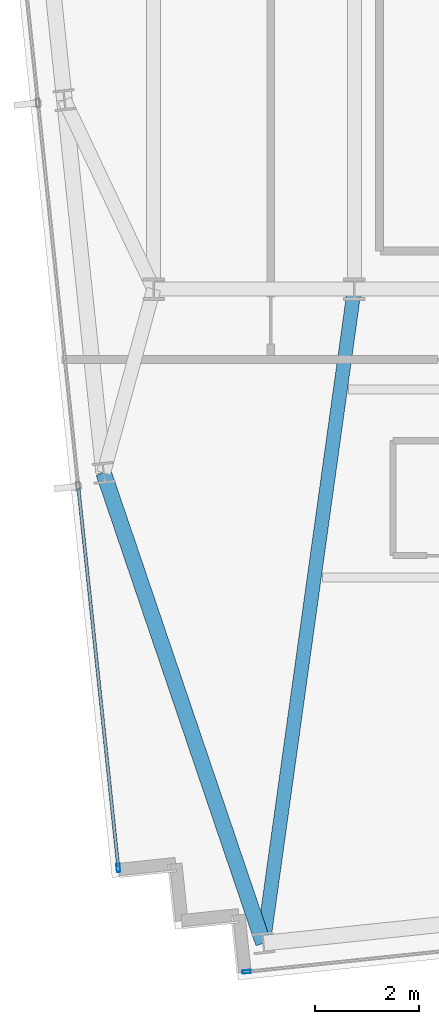
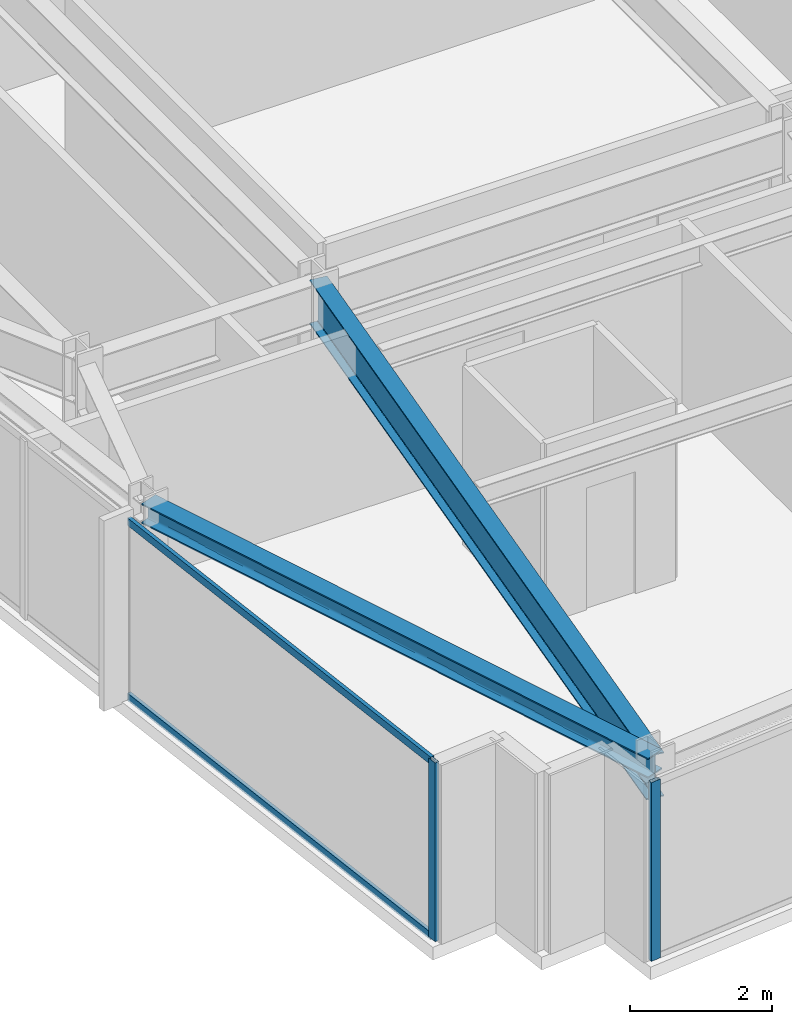
# One storey, part 2 of 33: 4 members, 2 beams, 2 elements without a shape of their own.
"""IFC4 building model written with IfcOpenShell, lengths in metres."""

from ifc_helpers import new_model, si_unit, direction, frame, origin, origin_2d, place, context, subcontext, project, spatial, hollow_rectangle, i_section, extrude, material, material_profile, profile_set, type_object, element, aggregate, save


model = new_model("IFC4")

# Units and contexts
model_context = context("Model", 3, precision=1e-05, world=origin(), true_north=direction((0.0, 1.0)))
body_context = subcontext(model_context, "Body", "Model", "MODEL_VIEW")
ifc_project = project(units=[si_unit("LENGTHUNIT", "METRE"), si_unit("AREAUNIT", "SQUARE_METRE"), si_unit("VOLUMEUNIT", "CUBIC_METRE"), si_unit("PLANEANGLEUNIT", "RADIAN"), si_unit("MASSUNIT", "GRAM", prefix="KILO")], contexts=[model_context])

# Site, building, storey
site_placement = place(None, origin())
site = spatial("IfcSite", under=ifc_project, at=site_placement, CompositionType="ELEMENT")
building_placement = place(site_placement, origin())
building = spatial("IfcBuilding", under=site, at=building_placement, Name="Yelkora Congress Tower", CompositionType="ELEMENT")
storey_placement = place(building_placement, frame((0.0, 0.0, 224.300048828125)))
storey = spatial("IfcBuildingStorey", under=building, at=storey_placement, Name="L62", CompositionType="ELEMENT", Elevation=224.300048828125)

# Beams
ifc_material_1 = material(Name="Steel S355J2", Category="steel")
ifc_material_profile_1 = material_profile(ifc_material_1, i_section(OverallWidth=0.26708984375, OverallDepth=0.761962890625, WebThickness=0.014404296875, FlangeThickness=0.021484375, FilletRadius=0.01708984375, at=origin_2d()), Name="IPE 750x173")
ifc_profile_set_1 = profile_set([ifc_material_profile_1], Name="Steel S355J2")
beam_type_1 = type_object("IfcBeamType", Name="BM-GIRD-IPE750", PredefinedType="BEAM", material=ifc_profile_set_1)
beam_1_placement = place(storey_placement, frame((21.299072265625, 12.678466796875, 2.698974609375), z_axis=(0.137713626184, 0.990472088028, 0.0), x_axis=(-0.990472088028, 0.137713626184, 0.0)))
element("IfcBeam", 1, at=beam_1_placement, inside=storey, type_object=beam_type_1, Name="L62 Primary Frame Girder S01", PredefinedType="BEAM", context=body_context, shape_type="SweptSolid", body=[
    extrude(i_section(OverallWidth=0.26708984375, OverallDepth=0.761962890625, WebThickness=0.014404296875, FlangeThickness=0.021484375, FilletRadius=0.01708984375, at=origin_2d()), origin(), (0.0, 0.0, 1.0), 12.641845703125),
])
ifc_material_profile_2 = material_profile(ifc_material_1, i_section(OverallWidth=0.300048828125, OverallDepth=0.340087890625, WebThickness=0.011962890625, FlangeThickness=0.021484375, FilletRadius=0.027099609375, at=origin_2d()), Name="HEB 340")
ifc_profile_set_2 = profile_set([ifc_material_profile_2], Name="Steel S355J2")
beam_type_2 = type_object("IfcBeamType", Name="BM-SPAN-HEB340", PredefinedType="SPANDREL", material=ifc_profile_set_2)
beam_2_placement = place(storey_placement, frame((18.2412109375, 21.68310546875, 2.909912109375), z_axis=(0.321552459514, -0.94689176561, 0.0), x_axis=(0.94689176561, 0.321552459514, 0.0)))
element("IfcBeam", 2, at=beam_2_placement, inside=storey, type_object=beam_type_2, Name="L62 Perimeter Beam 2", PredefinedType="SPANDREL", context=body_context, shape_type="SweptSolid", body=[
    extrude(i_section(OverallWidth=0.300048828125, OverallDepth=0.340087890625, WebThickness=0.011962890625, FlangeThickness=0.021484375, FilletRadius=0.027099609375, at=origin_2d()), origin(), (0.0, 0.0, 1.0), 9.509765625),
])

# Curtain wall, member
ifc_material_2 = material(Name="Anodised aluminium and insulated glass", Category="aluminium")
curtain_wall_type = type_object("IfcCurtainWallType", Name="CW-SYS-B4", PredefinedType="NOTDEFINED", material=ifc_material_2)
curtain_wall_1_placement = place(storey_placement, origin())
curtain_wall_1 = element("IfcCurtainWall", 3, at=curtain_wall_1_placement, inside=storey, type_object=curtain_wall_type, Name="L62 Unitised Curtain Wall 5", PredefinedType="NOTDEFINED")
ifc_material_3 = material(Name="Anodised aluminium 6063-T6", Category="aluminium")
ifc_material_profile_3 = material_profile(ifc_material_3, hollow_rectangle(XDim=0.06494140625, YDim=0.159912109375, WallThickness=0.00390625, at=origin_2d()), Name="ALU 65x160x4")
ifc_profile_set_3 = profile_set([ifc_material_profile_3], Name="Anodised aluminium 6063-T6")
member_type_1 = type_object("IfcMemberType", Name="MEM-ML-B4", PredefinedType="MULLION", material=ifc_profile_set_3)
member_1_placement = place(storey_placement, frame((18.523193359375, 14.118896484375, 0.0), z_axis=(0.0, 0.0, 1.0), x_axis=(-0.994522145958, -0.104526079034, 0.0)))
member_1 = element("IfcMember", 4, at=member_1_placement, type_object=member_type_1, Name="CW-B4 mullion 1", PredefinedType="MULLION", context=body_context, shape_type="SweptSolid", body=[
    extrude(hollow_rectangle(XDim=0.06494140625, YDim=0.159912109375, WallThickness=0.00390625, at=origin_2d()), origin(), (0.0, 0.0, 1.0), 3.079833984375),
])

curtain_wall_2_placement = place(storey_placement, origin())
curtain_wall_2 = element("IfcCurtainWall", 5, at=curtain_wall_2_placement, inside=storey, type_object=curtain_wall_type, Name="L62 Unitised Curtain Wall 20", PredefinedType="NOTDEFINED")
member_2_placement = place(storey_placement, frame((20.976806640625, 12.1318359375, 0.0), z_axis=(0.0, 0.0, 1.0), x_axis=(0.104526664994, -0.994522084373, 0.0)))
member_2 = element("IfcMember", 6, at=member_2_placement, type_object=member_type_1, Name="CW-B4 mullion 8", PredefinedType="MULLION", context=body_context, shape_type="SweptSolid", body=[
    extrude(hollow_rectangle(XDim=0.06494140625, YDim=0.159912109375, WallThickness=0.00390625, at=origin_2d()), origin(), (0.0, 0.0, 1.0), 3.079833984375),
])
aggregate(curtain_wall_2, [member_2])

# Member
ifc_material_profile_4 = material_profile(ifc_material_3, hollow_rectangle(XDim=0.06005859375, YDim=0.1298828125, WallThickness=0.00390625, at=origin_2d()), Name="ALU 60x130x4")
ifc_profile_set_4 = profile_set([ifc_material_profile_4], Name="Anodised aluminium 6063-T6")
member_type_2 = type_object("IfcMemberType", Name="MEM-TR-B4", PredefinedType="USERDEFINED", material=ifc_profile_set_4)
member_3_placement = place(storey_placement, frame((18.52001953125, 14.151123046875, 0.030029296875), z_axis=(-0.104527725728, 0.994521972886, 0.0), x_axis=(-0.994521972886, -0.104527725728, 0.0)))
member_3 = element("IfcMember", 7, at=member_3_placement, type_object=member_type_2, Name="CW-B4 transom 1.1", ObjectType="TRANSOM", PredefinedType="USERDEFINED", context=body_context, shape_type="SweptSolid", body=[
    extrude(hollow_rectangle(XDim=0.06005859375, YDim=0.1298828125, WallThickness=0.00390625, at=origin_2d()), origin(), (0.0, 0.0, 1.0), 7.282470703125),
])

member_4_placement = place(storey_placement, frame((18.52001953125, 14.151123046875, 3.050048828125), z_axis=(-0.104527725728, 0.994521972886, 0.0), x_axis=(-0.994521972886, -0.104527725728, 0.0)))
member_4 = element("IfcMember", 8, at=member_4_placement, type_object=member_type_2, Name="CW-B4 transom 1.2", ObjectType="TRANSOM", PredefinedType="USERDEFINED", context=body_context, shape_type="SweptSolid", body=[
    extrude(hollow_rectangle(XDim=0.06005859375, YDim=0.1298828125, WallThickness=0.00390625, at=origin_2d()), origin(), (0.0, 0.0, 1.0), 7.282470703125),
])

aggregate(curtain_wall_1, [member_1, member_3, member_4])

save(model, "model.ifc")
